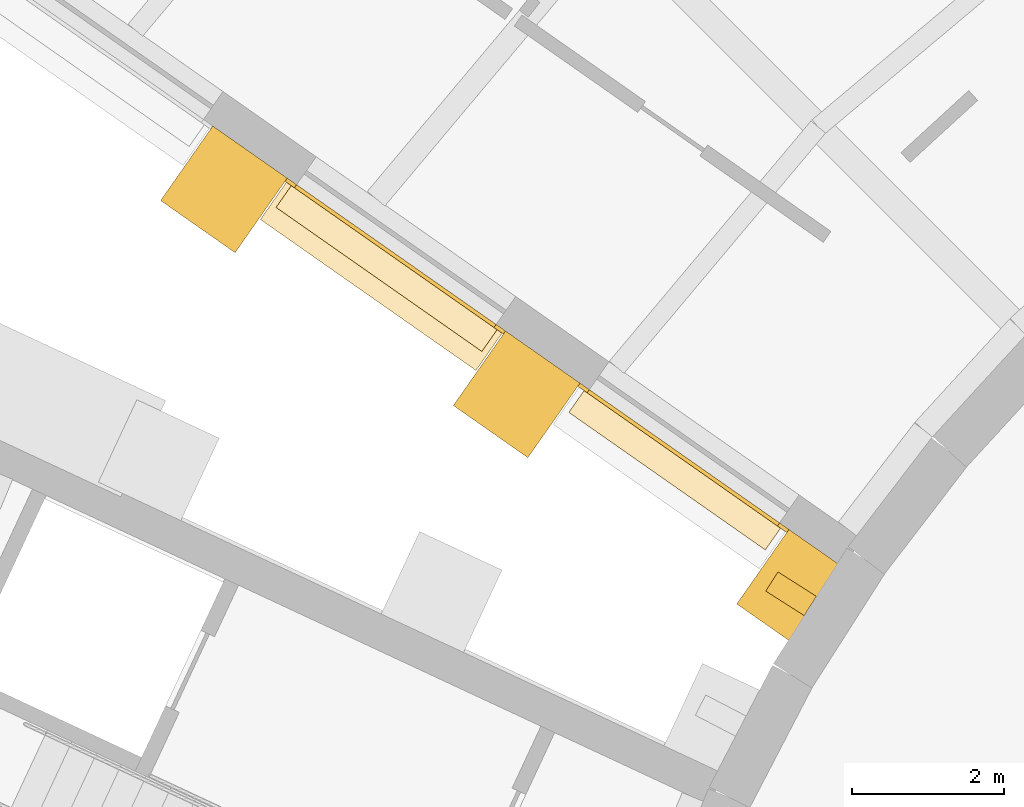
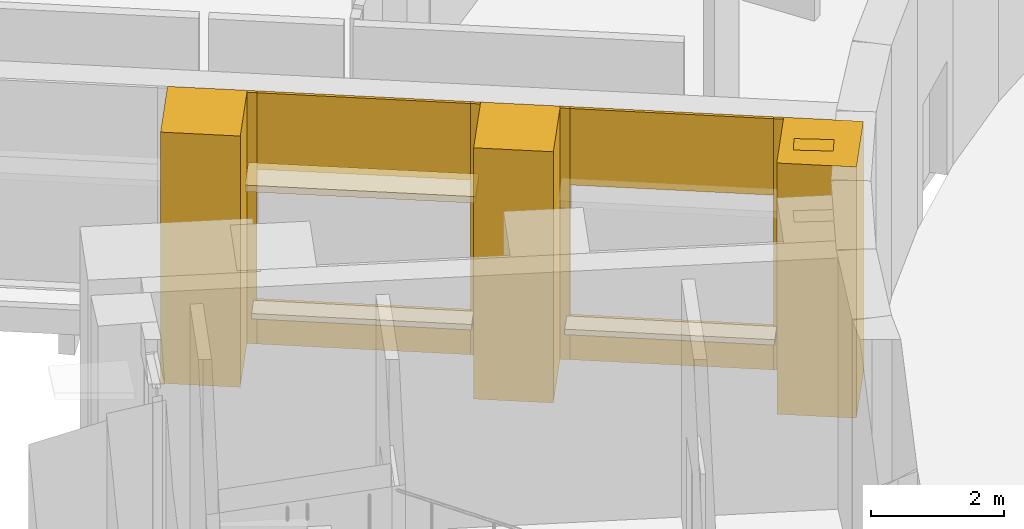
# One storey, part 69 of 85: 15 coverings.
"""IFC4 building model written with IfcOpenShell, lengths in metres."""

from ifc_helpers import new_model, si_unit, direction, frame, origin, origin_2d, place, context, subcontext, project, spatial, polyline, rectangle, outline, extrude, material, layer, layer_set, type_object, element, save


model = new_model("IFC4")

# Units and contexts
model_context = context("Model", 3, precision=1e-05, world=origin(), true_north=direction((0.0, 1.0)))
body_context = subcontext(model_context, "Body", "Model", "MODEL_VIEW")
ifc_project = project(units=[si_unit("LENGTHUNIT", "METRE"), si_unit("AREAUNIT", "SQUARE_METRE"), si_unit("VOLUMEUNIT", "CUBIC_METRE"), si_unit("PLANEANGLEUNIT", "RADIAN"), si_unit("MASSUNIT", "GRAM", prefix="KILO")], contexts=[model_context])

# Site, building, storey
site_placement = place(None, origin())
site = spatial("IfcSite", under=ifc_project, at=site_placement, CompositionType="ELEMENT")
building_placement = place(site_placement, origin())
building = spatial("IfcBuilding", under=site, at=building_placement, Name="Volute Hill Aquarium", CompositionType="ELEMENT")
storey_placement = place(building_placement, origin())
storey = spatial("IfcBuildingStorey", under=building, at=storey_placement, Name="L01", CompositionType="ELEMENT", Elevation=0.0)

# Coverings
ifc_material_1 = material(Name="Precast pale concrete C40/50", Category="concrete")
covering_type_1 = type_object("IfcCoveringType", Name="Drum pier fin 300x600", PredefinedType="CLADDING", material=ifc_material_1)
covering_1_placement = place(storey_placement, frame((-17.947509765625, 11.433837890625, 0.0), z_axis=(0.0, 0.0, 1.0), x_axis=(-0.537299608347, -0.843391445813, 0.0)))
element("IfcCovering", 1, at=covering_1_placement, inside=storey, type_object=covering_type_1, Name="Drum pier fin DF 30 L01", PredefinedType="CLADDING", context=body_context, shape_type="SweptSolid", body=[
    extrude(rectangle(XDim=0.300048828125, YDim=0.60009765625, at=origin_2d()), origin(), (0.0, 0.0, 1.0), 4.60009765625),
])
ifc_material_2 = material(Name="Precast concrete C40/50", Category="concrete")
covering_type_2 = type_object("IfcCoveringType", Name="End wall precast fin C40/50 1200x1200", PredefinedType="CLADDING", material=ifc_material_2)
for number, where, z_axis, x_axis, name in (
    (2, (-17.828857421875, 11.4462890625, 0.0), (0.0, 0.0, 1.0), (-0.819151442029, 0.573577296467, 0.0), "End wall fin EWF S6B L01 1"),
    (3, (-21.56689453125, 14.063720703125, 0.0), (0.0, 0.0, 1.0), (-0.819151442029, 0.573577296467, 0.0), "End wall fin EWF S6B L01 2"),
    (4, (-25.427978515625, 16.76708984375, 0.0), (0.0, 0.0, 1.0), (-0.819151442029, 0.573577296467, 0.0), "End wall fin EWF S6B L01 3"),
):
    element("IfcCovering", number, at=place(storey_placement, frame(where, z_axis=z_axis, x_axis=x_axis)), inside=storey, type_object=covering_type_2, Name=name, PredefinedType="CLADDING", context=body_context, shape_type="SweptSolid", body=[
        extrude(rectangle(XDim=1.199951171875, YDim=1.199951171875, at=origin_2d()), origin(), (0.0, 0.0, 1.0), 4.60009765625),
    ])
ifc_material_3 = material(Name="Precast concrete C40/50", Category="concrete")
ifc_layer_1 = layer(ifc_material_3, 0.050048828125)
ifc_layer_set_1 = layer_set([ifc_layer_1], Name="End wall precast infill panel C40/50 50")
covering_type_3 = type_object("IfcCoveringType", Name="End wall precast infill panel C40/50 50", PredefinedType="CLADDING", material=ifc_layer_set_1)
covering_2_placement = place(storey_placement, frame((-17.976318359375, 12.281982421875, 0.0), z_axis=(0.573353020881, 0.819308436089, 0.0), x_axis=(-0.819308436089, 0.573353020881, 0.0)))
element("IfcCovering", 5, at=covering_2_placement, inside=storey, type_object=covering_type_3, Name="End wall panel EWP S6B L01 1", PredefinedType="CLADDING", context=body_context, shape_type="SweptSolid", body=[
    extrude(outline(polyline([(0.0, 0.0), (0.1498858414801972, 0.0), (0.1498858414801972, 4.600097656249999), (0.0, 4.600097656249999), (0.0, 0.0)])), origin(), (0.0, 0.0, -1.0), 0.050048828125),
])
covering_3_placement = place(storey_placement, frame((-18.09912109375, 12.367919921875, 0.0), z_axis=(0.573590710881, 0.81914204897, 0.0), x_axis=(-0.81914204897, 0.573590710881, 0.0)))
element("IfcCovering", 6, at=covering_3_placement, inside=storey, type_object=covering_type_3, Name="End wall panel EWP S6B L01 1", PredefinedType="CLADDING", context=body_context, shape_type="SweptSolid", body=[
    extrude(outline(polyline([(0.0, 0.0), (3.0632993958803327, 0.0), (3.0632993958803327, 0.800048828125), (0.0, 0.800048828125), (0.0, 0.0)])), origin(), (0.0, 0.0, -1.0), 0.050048828125),
])
covering_4_placement = place(storey_placement, frame((-18.09912109375, 12.367919921875, 3.199951171875), z_axis=(0.573590710881, 0.81914204897, 0.0), x_axis=(-0.81914204897, 0.573590710881, 0.0)))
element("IfcCovering", 7, at=covering_4_placement, inside=storey, type_object=covering_type_3, Name="End wall panel EWP S6B L01 1", PredefinedType="CLADDING", context=body_context, shape_type="SweptSolid", body=[
    extrude(outline(polyline([(0.0, 0.0), (3.0632993958803327, 0.0), (3.0632993958803327, 1.400146484375), (0.0, 1.400146484375), (0.0, 0.0)])), origin(), (0.0, 0.0, -1.0), 0.050048828125),
])
covering_5_placement = place(storey_placement, frame((-20.6083984375, 14.125, 0.0), z_axis=(0.574444878118, 0.818543268254, 0.0), x_axis=(-0.818543268254, 0.574444878118, 0.0)))
element("IfcCovering", 8, at=covering_5_placement, inside=storey, type_object=covering_type_3, Name="End wall panel EWP S6B L01 1", PredefinedType="CLADDING", context=body_context, shape_type="SweptSolid", body=[
    extrude(outline(polyline([(0.0, 0.0), (0.150025953590682, 0.0), (0.150025953590682, 4.600097656250001), (0.0, 4.600097656250001), (0.0, 0.0)])), origin(), (0.0, 0.0, -1.0), 0.050048828125),
])
covering_6_placement = place(storey_placement, frame((-21.71435546875, 14.8994140625, 0.0), z_axis=(0.573353020881, 0.819308436089, 0.0), x_axis=(-0.819308436089, 0.573353020881, 0.0)))
element("IfcCovering", 9, at=covering_6_placement, inside=storey, type_object=covering_type_3, Name="End wall panel EWP S6B L01 2", PredefinedType="CLADDING", context=body_context, shape_type="SweptSolid", body=[
    extrude(outline(polyline([(0.0, 0.0), (0.1498858414801972, 0.0), (0.1498858414801972, 4.600097656249999), (0.0, 4.600097656249999), (0.0, 0.0)])), origin(), (0.0, 0.0, -1.0), 0.050048828125),
])
covering_7_placement = place(storey_placement, frame((-21.837158203125, 14.9853515625, 0.0), z_axis=(0.573594906903, 0.819139110759, 0.0), x_axis=(-0.819139110759, 0.573594906903, 0.0)))
element("IfcCovering", 10, at=covering_7_placement, inside=storey, type_object=covering_type_3, Name="End wall panel EWP S6B L01 2", PredefinedType="CLADDING", context=body_context, shape_type="SweptSolid", body=[
    extrude(outline(polyline([(0.0, 0.0), (3.213525253740353, 0.0), (3.213525253740353, 0.800048828125), (0.0, 0.800048828125), (0.0, 0.0)])), origin(), (0.0, 0.0, -1.0), 0.050048828125),
])
covering_8_placement = place(storey_placement, frame((-21.837158203125, 14.9853515625, 3.199951171875), z_axis=(0.573594906903, 0.819139110759, 0.0), x_axis=(-0.819139110759, 0.573594906903, 0.0)))
element("IfcCovering", 11, at=covering_8_placement, inside=storey, type_object=covering_type_3, Name="End wall panel EWP S6B L01 2", PredefinedType="CLADDING", context=body_context, shape_type="SweptSolid", body=[
    extrude(outline(polyline([(0.0, 0.0), (3.213525253740353, 0.0), (3.213525253740353, 1.400146484375), (0.0, 1.400146484375), (0.0, 0.0)])), origin(), (0.0, 0.0, -1.0), 0.050048828125),
])
covering_9_placement = place(storey_placement, frame((-24.469482421875, 16.82861328125, 0.0), z_axis=(0.573353020881, 0.819308436089, 0.0), x_axis=(-0.819308436089, 0.573353020881, 0.0)))
element("IfcCovering", 12, at=covering_9_placement, inside=storey, type_object=covering_type_3, Name="End wall panel EWP S6B L01 2", PredefinedType="CLADDING", context=body_context, shape_type="SweptSolid", body=[
    extrude(outline(polyline([(0.0, 0.0), (0.1498858414801972, 0.0), (0.1498858414801972, 4.600097656249999), (0.0, 4.600097656249999), (0.0, 0.0)])), origin(), (0.0, 0.0, -1.0), 0.050048828125),
])
ifc_material_4 = material(Name="Precast concrete C40/50", Category="concrete")
ifc_layer_2 = layer(ifc_material_4, 0.1201171875)
ifc_layer_set_2 = layer_set([ifc_layer_2], Name="End wall window head blade precast C40/50 600x120")
covering_type_4 = type_object("IfcCoveringType", Name="End wall window head blade precast C40/50 600x120", PredefinedType="CLADDING", material=ifc_layer_set_2)
covering_10_placement = place(storey_placement, frame((-23.35400390625, 15.6201171875, 3.199951171875), z_axis=(0.0, 0.0, 1.0), x_axis=(-0.819151442029, 0.573577296467, 0.0)))
element("IfcCovering", 13, at=covering_10_placement, inside=storey, type_object=covering_type_4, Name="End wall window head blade EWB S6B L01 2.1", PredefinedType="CLADDING", context=body_context, shape_type="SweptSolid", body=[
    extrude(rectangle(XDim=3.473388671875, YDim=0.60009765625, at=origin_2d()), origin(), (0.0, 0.0, 1.0), 0.1201171875),
])
ifc_material_5 = material(Name="Precast concrete C40/50", Category="concrete")
ifc_layer_3 = layer(ifc_material_5, 0.10009765625)
ifc_layer_set_3 = layer_set([ifc_layer_3], Name="End wall window sill precast C40/50 350x100")
covering_type_5 = type_object("IfcCoveringType", Name="End wall window sill precast C40/50 350x100", PredefinedType="CLADDING", material=ifc_layer_set_3)
covering_11_placement = place(storey_placement, frame((-19.48291015625, 13.062255859375, 0.699951171875), z_axis=(0.0, 0.0, 1.0), x_axis=(-0.819151442029, 0.573577296467, 0.0)))
element("IfcCovering", 14, at=covering_11_placement, inside=storey, type_object=covering_type_5, Name="End wall window sill EWS S6B L01 1.1", PredefinedType="CLADDING", context=body_context, shape_type="SweptSolid", body=[
    extrude(rectangle(XDim=3.163330078125, YDim=0.35009765625, at=origin_2d()), origin(), (0.0, 0.0, 1.0), 0.10009765625),
])
covering_12_placement = place(storey_placement, frame((-23.282470703125, 15.72265625, 0.699951171875), z_axis=(0.0, 0.0, 1.0), x_axis=(-0.819151442029, 0.573577296467, 0.0)))
element("IfcCovering", 15, at=covering_12_placement, inside=storey, type_object=covering_type_5, Name="End wall window sill EWS S6B L01 2.1", PredefinedType="CLADDING", context=body_context, shape_type="SweptSolid", body=[
    extrude(rectangle(XDim=3.313232421875, YDim=0.35009765625, at=origin_2d()), origin(), (0.0, 0.0, 1.0), 0.10009765625),
])

save(model, "model.ifc")
